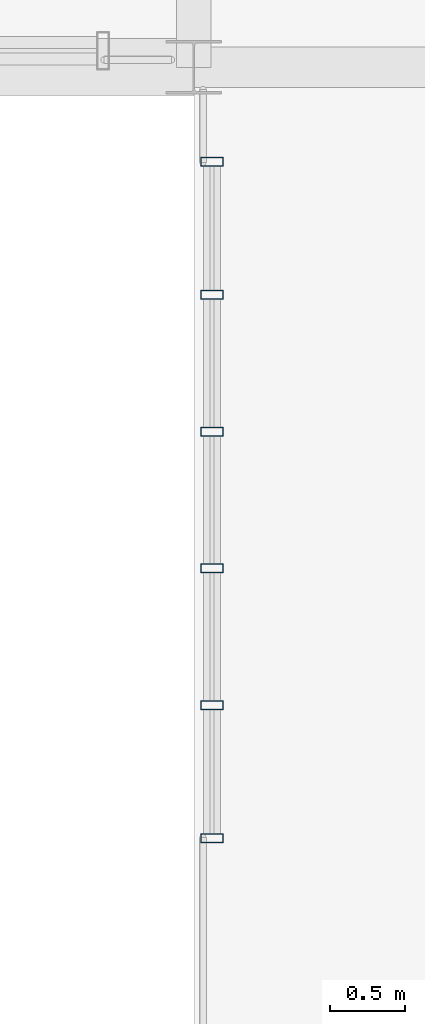
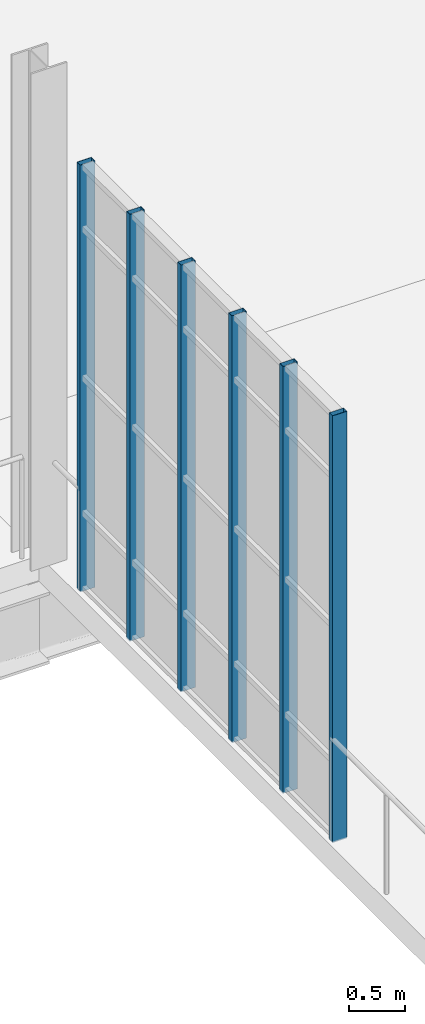
# One storey, part 54 of 142: 6 members, 1 element without a shape of its own.
"""IFC4 building model written with IfcOpenShell, lengths in metres."""

from ifc_helpers import new_model, si_unit, direction, frame, origin, origin_2d, place, context, subcontext, project, spatial, hollow_rectangle, extrude, material, layer, layer_set, material_profile, profile_set, type_object, element, aggregate, save


model = new_model("IFC4")

# Units and contexts
model_context = context("Model", 3, precision=1e-05, world=origin(), true_north=direction((0.0, 1.0)))
body_context = subcontext(model_context, "Body", "Model", "MODEL_VIEW")
ifc_project = project(units=[si_unit("LENGTHUNIT", "METRE"), si_unit("AREAUNIT", "SQUARE_METRE"), si_unit("VOLUMEUNIT", "CUBIC_METRE"), si_unit("PLANEANGLEUNIT", "RADIAN"), si_unit("MASSUNIT", "GRAM", prefix="KILO"), si_unit("THERMODYNAMICTEMPERATUREUNIT", "KELVIN"), si_unit("POWERUNIT", "WATT")], contexts=[model_context])

# Site, building, storey
site_placement = place(None, origin())
site = spatial("IfcSite", under=ifc_project, at=site_placement, CompositionType="ELEMENT")
building_placement = place(site_placement, origin())
building = spatial("IfcBuilding", under=site, at=building_placement, Name="Zelmaris Science Centre", CompositionType="ELEMENT")
storey_placement = place(building_placement, frame((0.0, 0.0, 5.39990234375)))
storey = spatial("IfcBuildingStorey", under=building, at=storey_placement, Name="L01", CompositionType="ELEMENT", Elevation=5.39990234375)

# Curtain wall, members
ifc_material = material(Name="Anodised architectural aluminium 6063-T6", Category="aluminium")
ifc_layer = layer(ifc_material, 0.219970703125, Name="Anodised architectural aluminium 6063-T6")
ifc_layer_set = layer_set([ifc_layer], Name="Anodised architectural aluminium 6063-T6")
curtain_wall_type = type_object("IfcCurtainWallType", Name="Curtain Wall CW-04", PredefinedType="USERDEFINED", material=ifc_layer_set)
curtain_wall_placement = place(storey_placement, origin())
curtain_wall = element("IfcCurtainWall", 1, at=curtain_wall_placement, inside=storey, type_object=curtain_wall_type, Name="L01 Unitised curtain wall 188", ObjectType="GLAZED CURTAIN WALL", PredefinedType="USERDEFINED")
ifc_material_profile = material_profile(ifc_material, hollow_rectangle(XDim=0.06005859375, YDim=0.14990234375, WallThickness=0.00341796875, at=origin_2d()), Name="ALU-MUL-60X150")
ifc_profile_set = profile_set([ifc_material_profile], Name="Anodised architectural aluminium 6063-T6")
member_type = type_object("IfcMemberType", Name="ALU-MUL-60X150", PredefinedType="MULLION", material=ifc_profile_set)
member_1_placement = place(storey_placement, frame((99.1201171875, 58.885986328125, -0.014892578125), z_axis=(0.0, 0.0, 1.0), x_axis=(-5.235988e-06, 0.999999999986, 0.0)))
member_1 = element("IfcMember", 2, at=member_1_placement, type_object=member_type, Name="CW-04 mullion 1", PredefinedType="MULLION", context=body_context, shape_type="SweptSolid", body=[
    extrude(hollow_rectangle(XDim=0.06005859375, YDim=0.14990234375, WallThickness=0.00341796875, at=origin_2d()), origin(), (0.0, 0.0, 1.0), 4.635009765625),
])
member_2_placement = place(storey_placement, frame((99.1201171875, 59.76806640625, -0.014892578125), z_axis=(0.0, 0.0, 1.0), x_axis=(-5.235988e-06, 0.999999999986, 0.0)))
member_2 = element("IfcMember", 3, at=member_2_placement, type_object=member_type, Name="CW-04 mullion 2", PredefinedType="MULLION", context=body_context, shape_type="SweptSolid", body=[
    extrude(hollow_rectangle(XDim=0.06005859375, YDim=0.14990234375, WallThickness=0.00341796875, at=origin_2d()), origin(), (0.0, 0.0, 1.0), 4.635009765625),
])
member_3_placement = place(storey_placement, frame((99.1201171875, 60.676025390625, -0.014892578125), z_axis=(0.0, 0.0, 1.0), x_axis=(-5.235988e-06, 0.999999999986, 0.0)))
member_3 = element("IfcMember", 4, at=member_3_placement, type_object=member_type, Name="CW-04 mullion 3", PredefinedType="MULLION", context=body_context, shape_type="SweptSolid", body=[
    extrude(hollow_rectangle(XDim=0.06005859375, YDim=0.14990234375, WallThickness=0.00341796875, at=origin_2d()), origin(), (0.0, 0.0, 1.0), 4.635009765625),
])
member_4_placement = place(storey_placement, frame((99.1201171875, 61.583984375, -0.014892578125), z_axis=(0.0, 0.0, 1.0), x_axis=(-5.235988e-06, 0.999999999986, 0.0)))
member_4 = element("IfcMember", 5, at=member_4_placement, type_object=member_type, Name="CW-04 mullion 4", PredefinedType="MULLION", context=body_context, shape_type="SweptSolid", body=[
    extrude(hollow_rectangle(XDim=0.06005859375, YDim=0.14990234375, WallThickness=0.00341796875, at=origin_2d()), origin(), (0.0, 0.0, 1.0), 4.635009765625),
])
member_5_placement = place(storey_placement, frame((99.1201171875, 62.491943359375, -0.014892578125), z_axis=(0.0, 0.0, 1.0), x_axis=(-5.235988e-06, 0.999999999986, 0.0)))
member_5 = element("IfcMember", 6, at=member_5_placement, type_object=member_type, Name="CW-04 mullion 5", PredefinedType="MULLION", context=body_context, shape_type="SweptSolid", body=[
    extrude(hollow_rectangle(XDim=0.06005859375, YDim=0.14990234375, WallThickness=0.00341796875, at=origin_2d()), origin(), (0.0, 0.0, 1.0), 4.635009765625),
])
member_6_placement = place(storey_placement, frame((99.1201171875, 63.3740234375, -0.014892578125), z_axis=(0.0, 0.0, 1.0), x_axis=(-5.235988e-06, 0.999999999986, 0.0)))
member_6 = element("IfcMember", 7, at=member_6_placement, type_object=member_type, Name="CW-04 mullion 6", PredefinedType="MULLION", context=body_context, shape_type="SweptSolid", body=[
    extrude(hollow_rectangle(XDim=0.06005859375, YDim=0.14990234375, WallThickness=0.00341796875, at=origin_2d()), origin(), (0.0, 0.0, 1.0), 4.635009765625),
])
aggregate(curtain_wall, [member_1, member_2, member_3, member_4, member_5, member_6])

save(model, "model.ifc")
